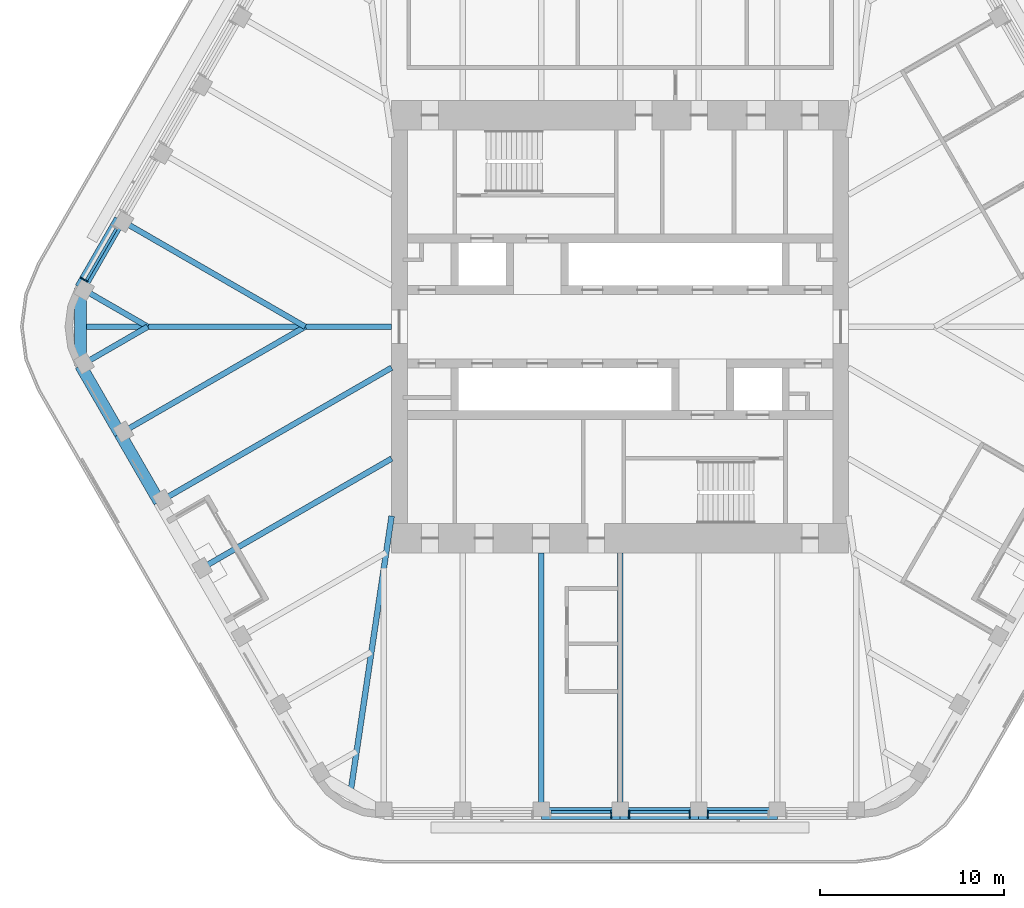
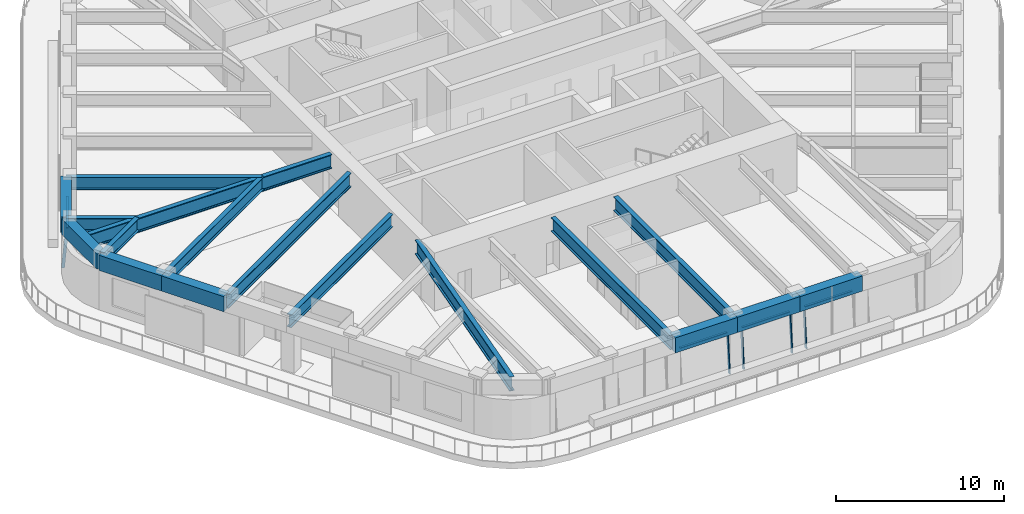
# One storey, part 3 of 19: 17 beams, 9 members, 4 elements without a shape of their own.
"""IFC4 building model written with IfcOpenShell, lengths in metres."""

from ifc_helpers import new_model, si_unit, direction, frame, origin, origin_2d, place, context, subcontext, project, spatial, rectangle, i_section, extrude, material, material_profile, profile_set, type_object, element, aggregate, save


model = new_model("IFC4")

# Units and contexts
model_context = context("Model", 3, precision=1e-05, world=origin(), true_north=direction((0.0, 1.0)))
body_context = subcontext(model_context, "Body", "Model", "MODEL_VIEW")
ifc_project = project(units=[si_unit("LENGTHUNIT", "METRE"), si_unit("AREAUNIT", "SQUARE_METRE"), si_unit("VOLUMEUNIT", "CUBIC_METRE"), si_unit("PLANEANGLEUNIT", "RADIAN"), si_unit("MASSUNIT", "GRAM", prefix="KILO")], contexts=[model_context])

# Site, building, storey
site_placement = place(None, origin())
site = spatial("IfcSite", under=ifc_project, at=site_placement, CompositionType="ELEMENT")
building_placement = place(site_placement, origin())
building = spatial("IfcBuilding", under=site, at=building_placement, Name="Tarfa Lantern Tower", CompositionType="ELEMENT")
storey_placement = place(building_placement, frame((0.0, 0.0, 370.300048828125)))
storey = spatial("IfcBuildingStorey", under=building, at=storey_placement, Name="L84", CompositionType="ELEMENT", Elevation=370.300048828125)

# Curtain wall, member
ifc_material_1 = material(Name="Aluminium framed curtain wall", Category="aluminium")
curtain_wall_type = type_object("IfcCurtainWallType", Name="CW4 CANTED GLAZING EXECUTIVE ZONE 2900", PredefinedType="USERDEFINED", material=ifc_material_1)
curtain_wall_1_placement = place(storey_placement, origin())
curtain_wall_1 = element("IfcCurtainWall", 1, at=curtain_wall_1_placement, inside=storey, type_object=curtain_wall_type, Name="CW4 NW L84", ObjectType="CURTAIN WALL", PredefinedType="USERDEFINED")
ifc_material_2 = material(Name="Aluminium mullion", Category="aluminium")
ifc_material_profile_1 = material_profile(ifc_material_2, rectangle(XDim=0.06494140625, YDim=0.199951171875, at=origin_2d()), Name="AL MULLION 65x200")
ifc_profile_set_1 = profile_set([ifc_material_profile_1], Name="Aluminium mullion")
member_type_1 = type_object("IfcMemberType", Name="CWM1 MULLION 65x200", PredefinedType="MULLION", material=ifc_profile_set_1)
member_1_placement = place(storey_placement, frame((-29.26123046875, 2.617919921875, 0.0), z_axis=(0.074316405553, -0.042945823525, 0.996309554359), x_axis=(0.500342721131, 0.865827443207, 0.0)))
member_1 = element("IfcMember", 2, at=member_1_placement, type_object=member_type_1, Name="CW4 mullion 2", PredefinedType="MULLION", context=body_context, shape_type="SweptSolid", body=[
    extrude(rectangle(XDim=0.06494140625, YDim=0.199951171875, at=origin_2d()), origin(), (0.0, 0.0, 1.0), 2.91064453125),
])

curtain_wall_2_placement = place(storey_placement, origin())
curtain_wall_2 = element("IfcCurtainWall", 3, at=curtain_wall_2_placement, inside=storey, type_object=curtain_wall_type, Name="CW4 S L84", ObjectType="CURTAIN WALL", PredefinedType="USERDEFINED")
member_2_placement = place(storey_placement, frame((-0.482421875, -26.64990234375, 0.0), z_axis=(0.0, 0.085891213166, 0.99630452147), x_axis=(-1.0, 0.0, 0.0)))
member_2 = element("IfcMember", 4, at=member_2_placement, type_object=member_type_1, Name="CW4 mullion 2", PredefinedType="MULLION", context=body_context, shape_type="SweptSolid", body=[
    extrude(rectangle(XDim=0.06494140625, YDim=0.199951171875, at=origin_2d()), origin(), (0.0, 0.0, 1.0), 2.91064453125),
])

# Curtain wall, members
curtain_wall_3_placement = place(storey_placement, origin())
curtain_wall_3 = element("IfcCurtainWall", 5, at=curtain_wall_3_placement, inside=storey, type_object=curtain_wall_type, Name="CW4 S L84", ObjectType="CURTAIN WALL", PredefinedType="USERDEFINED")
member_3_placement = place(storey_placement, frame((0.482421875, -26.64990234375, 0.0), z_axis=(0.0, 0.085891213166, 0.99630452147), x_axis=(-1.0, 0.0, 0.0)))
member_3 = element("IfcMember", 6, at=member_3_placement, type_object=member_type_1, Name="CW4 mullion 1", PredefinedType="MULLION", context=body_context, shape_type="SweptSolid", body=[
    extrude(rectangle(XDim=0.06494140625, YDim=0.199951171875, at=origin_2d()), origin(), (0.0, 0.0, 1.0), 2.91064453125),
])
member_4_placement = place(storey_placement, frame((3.799560546875, -26.64990234375, 0.0), z_axis=(0.0, 0.085891213166, 0.99630452147), x_axis=(-1.0, 0.0, 0.0)))
member_4 = element("IfcMember", 7, at=member_4_placement, type_object=member_type_1, Name="CW4 mullion 2", PredefinedType="MULLION", context=body_context, shape_type="SweptSolid", body=[
    extrude(rectangle(XDim=0.06494140625, YDim=0.199951171875, at=origin_2d()), origin(), (0.0, 0.0, 1.0), 2.91064453125),
])

# Curtain wall, member
curtain_wall_4_placement = place(storey_placement, origin())
curtain_wall_4 = element("IfcCurtainWall", 8, at=curtain_wall_4_placement, inside=storey, type_object=curtain_wall_type, Name="CW4 S L84", ObjectType="CURTAIN WALL", PredefinedType="USERDEFINED")
member_5_placement = place(storey_placement, frame((4.764404296875, -26.64990234375, 0.0), z_axis=(0.0, 0.085891213166, 0.99630452147), x_axis=(-1.0, 0.0, 0.0)))
member_5 = element("IfcMember", 9, at=member_5_placement, type_object=member_type_1, Name="CW4 mullion 1", PredefinedType="MULLION", context=body_context, shape_type="SweptSolid", body=[
    extrude(rectangle(XDim=0.06494140625, YDim=0.199951171875, at=origin_2d()), origin(), (0.0, 0.0, 1.0), 2.91064453125),
])

# Member
ifc_material_3 = material(Name="Aluminium transom", Category="aluminium")
ifc_material_profile_2 = material_profile(ifc_material_3, rectangle(XDim=0.14990234375, YDim=0.06494140625, at=origin_2d()), Name="AL TRANSOM 150x65")
ifc_profile_set_2 = profile_set([ifc_material_profile_2], Name="Aluminium transom")
member_type_2 = type_object("IfcMemberType", Name="CWT1 TRANSOM 150x65", PredefinedType="USERDEFINED", material=ifc_profile_set_2)
member_6_placement = place(storey_placement, frame((-27.405029296875, 5.338623046875, 2.867431640625), z_axis=(-0.500014901547, -0.866016800201, 0.0), x_axis=(0.866016800201, -0.500014901547, 0.0)))
member_6 = element("IfcMember", 10, at=member_6_placement, type_object=member_type_2, Name="CW4 transom 1.2", ObjectType="TRANSOM", PredefinedType="USERDEFINED", context=body_context, shape_type="SweptSolid", body=[
    extrude(rectangle(XDim=0.14990234375, YDim=0.06494140625, at=origin_2d()), origin(), (0.0, 0.0, 1.0), 3.251953125),
])

aggregate(curtain_wall_1, [member_1, member_6])

member_7_placement = place(storey_placement, frame((-3.76708984375, -26.40283203125, 2.867431640625), z_axis=(1.0, 0.0, 0.0), x_axis=(0.0, 1.0, 0.0)))
member_7 = element("IfcMember", 11, at=member_7_placement, type_object=member_type_2, Name="CW4 transom 1.2", ObjectType="TRANSOM", PredefinedType="USERDEFINED", context=body_context, shape_type="SweptSolid", body=[
    extrude(rectangle(XDim=0.14990234375, YDim=0.06494140625, at=origin_2d()), origin(), (0.0, 0.0, 1.0), 3.252197265625),
])

aggregate(curtain_wall_2, [member_2, member_7])

member_8_placement = place(storey_placement, frame((0.514892578125, -26.40283203125, 2.867431640625), z_axis=(1.0, 0.0, 0.0), x_axis=(0.0, 1.0, 0.0)))
member_8 = element("IfcMember", 12, at=member_8_placement, type_object=member_type_2, Name="CW4 transom 1.2", ObjectType="TRANSOM", PredefinedType="USERDEFINED", context=body_context, shape_type="SweptSolid", body=[
    extrude(rectangle(XDim=0.14990234375, YDim=0.06494140625, at=origin_2d()), origin(), (0.0, 0.0, 1.0), 3.252197265625),
])

aggregate(curtain_wall_3, [member_3, member_4, member_8])

member_9_placement = place(storey_placement, frame((4.797119140625, -26.40283203125, 2.867431640625), z_axis=(1.0, 0.0, 0.0), x_axis=(0.0, 1.0, 0.0)))
member_9 = element("IfcMember", 13, at=member_9_placement, type_object=member_type_2, Name="CW4 transom 1.2", ObjectType="TRANSOM", PredefinedType="USERDEFINED", context=body_context, shape_type="SweptSolid", body=[
    extrude(rectangle(XDim=0.14990234375, YDim=0.06494140625, at=origin_2d()), origin(), (0.0, 0.0, 1.0), 3.251953125),
])

aggregate(curtain_wall_4, [member_5, member_9])

# Beams
ifc_material_4 = material(Name="Concrete C80/95", Category="concrete")
ifc_material_profile_3 = material_profile(ifc_material_4, rectangle(XDim=0.64990234375, YDim=1.10009765625, at=origin_2d()), Name="RC 650x1100")
ifc_profile_set_3 = profile_set([ifc_material_profile_3], Name="Concrete C80/95")
beam_type_1 = type_object("IfcBeamType", Name="EB4 RC 650x1100", PredefinedType="SPANDREL", material=ifc_profile_set_3)
beam_1_placement = place(storey_placement, frame((-27.205810546875, 5.818359375, 3.449951171875), z_axis=(-0.499984039138, -0.866034618596, 0.0), x_axis=(0.866034618596, -0.499984039138, 0.0)))
element("IfcBeam", 14, at=beam_1_placement, inside=storey, type_object=beam_type_1, Name="Edge beam NW5", PredefinedType="SPANDREL", context=body_context, shape_type="SweptSolid", body=[
    extrude(rectangle(XDim=0.64990234375, YDim=1.10009765625, at=origin_2d()), origin(), (0.0, 0.0, 1.0), 4.281982421875),
])
beam_2_placement = place(storey_placement, frame((-29.3466796875, 2.110107421875, 3.449951171875), z_axis=(0.0, -1.0, 0.0), x_axis=(1.0, 0.0, 0.0)))
element("IfcBeam", 15, at=beam_2_placement, inside=storey, type_object=beam_type_1, Name="Edge beam NW6", PredefinedType="SPANDREL", context=body_context, shape_type="SweptSolid", body=[
    extrude(rectangle(XDim=0.64990234375, YDim=1.10009765625, at=origin_2d()), origin(), (0.0, 0.0, 1.0), 4.22021484375),
])
for number, where, z_axis, x_axis, name in (
    (16, (-29.3466796875, -2.110107421875, 3.449951171875), (0.499984039138, -0.866034618596, 0.0), (0.866034618596, 0.499984039138, 0.0), "Edge beam SW0"),
    (17, (-27.205810546875, -5.818359375, 3.449951171875), (0.500026801138, -0.866009929587, 0.0), (0.866009929587, 0.500026801138, 0.0), "Edge beam SW1"),
    (18, (-4.281982421875, -26.469970703125, 3.449951171875), (1.0, 0.0, 0.0), (0.0, 1.0, 0.0), "Edge beam S2"),
    (19, (0.0, -26.469970703125, 3.449951171875), (1.0, 0.0, 0.0), (0.0, 1.0, 0.0), "Edge beam S3"),
    (20, (4.281982421875, -26.469970703125, 3.449951171875), (1.0, 0.0, 0.0), (0.0, 1.0, 0.0), "Edge beam S4"),
):
    element("IfcBeam", number, at=place(storey_placement, frame(where, z_axis=z_axis, x_axis=x_axis)), inside=storey, type_object=beam_type_1, Name=name, PredefinedType="SPANDREL", context=body_context, shape_type="SweptSolid", body=[
        extrude(rectangle(XDim=0.64990234375, YDim=1.10009765625, at=origin_2d()), origin(), (0.0, 0.0, 1.0), 4.281982421875),
    ])
ifc_material_5 = material(Name="Steel S460M", Category="steel")
ifc_material_profile_4 = material_profile(ifc_material_5, i_section(OverallWidth=0.302001953125, OverallDepth=1.008056640625, WebThickness=0.02099609375, FlangeThickness=0.0400390625, FilletRadius=0.030029296875, at=origin_2d()), Name="UB1016x305x349")
ifc_profile_set_4 = profile_set([ifc_material_profile_4], Name="Steel S460M")
beam_type_2 = type_object("IfcBeamType", Name="UB1016x305x349", PredefinedType="BEAM", material=ifc_profile_set_4)
beam_3_placement = place(storey_placement, frame((-25.064697265625, -9.526611328125, 3.495849609375), z_axis=(0.866029591389, 0.499992746786, 0.0), x_axis=(-0.499992746786, 0.866029591389, 0.0)))
element("IfcBeam", 21, at=beam_3_placement, inside=storey, type_object=beam_type_2, Name="Floor beam SW2", PredefinedType="BEAM", context=body_context, shape_type="SweptSolid", body=[
    extrude(i_section(OverallWidth=0.302001953125, OverallDepth=1.008056640625, WebThickness=0.02099609375, FlangeThickness=0.0400390625, FilletRadius=0.030029296875, at=origin_2d()), origin(), (0.0, 0.0, 1.0), 14.594970703125),
])
for number, where, z_axis, x_axis, name in (
    (22, (-4.281982421875, -26.469970703125, 3.495849609375), (0.0, 1.0, 0.0), (-1.0, 0.0, 0.0), "Floor beam S2"),
    (23, (0.0, -26.469970703125, 3.495849609375), (0.0, 1.0, 0.0), (-1.0, 0.0, 0.0), "Floor beam S3"),
):
    element("IfcBeam", number, at=place(storey_placement, frame(where, z_axis=z_axis, x_axis=x_axis)), inside=storey, type_object=beam_type_2, Name=name, PredefinedType="BEAM", context=body_context, shape_type="SweptSolid", body=[
        extrude(i_section(OverallWidth=0.302001953125, OverallDepth=1.008056640625, WebThickness=0.02099609375, FlangeThickness=0.0400390625, FilletRadius=0.030029296875, at=origin_2d()), origin(), (0.0, 0.0, 1.0), 14.169921875),
    ])
ifc_material_profile_5 = material_profile(ifc_material_5, i_section(OverallWidth=0.30859375, OverallDepth=1.036376953125, WebThickness=0.030029296875, FlangeThickness=0.05419921875, FilletRadius=0.030029296875, at=origin_2d()), Name="UB1016x305x487")
ifc_profile_set_5 = profile_set([ifc_material_profile_5], Name="Steel S460M")
beam_type_3 = type_object("IfcBeamType", Name="UB1016x305x487", PredefinedType="BEAM", material=ifc_profile_set_5)
beam_4_placement = place(storey_placement, frame((-12.425048828125, 0.0, 3.481689453125), z_axis=(-1.0, 0.0, 0.0), x_axis=(0.0, -1.0, 0.0)))
element("IfcBeam", 24, at=beam_4_placement, inside=storey, type_object=beam_type_3, Name="Hip girder W", PredefinedType="BEAM", context=body_context, shape_type="SweptSolid", body=[
    extrude(i_section(OverallWidth=0.30859375, OverallDepth=1.036376953125, WebThickness=0.030029296875, FlangeThickness=0.05419921875, FilletRadius=0.030029296875, at=origin_2d()), origin(), (0.0, 0.0, 1.0), 16.921630859375),
])
beam_5_placement = place(storey_placement, frame((-12.425048828125, -10.300048828125, 3.481689453125), z_axis=(-0.147127069073, -0.989117599452, 0.0), x_axis=(0.989117599452, -0.147127069073, 0.0)))
element("IfcBeam", 25, at=beam_5_placement, inside=storey, type_object=beam_type_3, Name="Hip girder SW", PredefinedType="BEAM", context=body_context, shape_type="SweptSolid", body=[
    extrude(i_section(OverallWidth=0.30859375, OverallDepth=1.036376953125, WebThickness=0.030029296875, FlangeThickness=0.05419921875, FilletRadius=0.030029296875, at=origin_2d()), origin(), (0.0, 0.0, 1.0), 15.28125),
])
ifc_material_profile_6 = material_profile(ifc_material_5, i_section(OverallWidth=0.305419921875, OverallDepth=0.91845703125, WebThickness=0.017333984375, FlangeThickness=0.02783203125, FilletRadius=0.01904296875, at=origin_2d()), Name="UB914x305x253")
ifc_profile_set_6 = profile_set([ifc_material_profile_6], Name="Steel S460M")
beam_type_4 = type_object("IfcBeamType", Name="UB914x305x253", PredefinedType="BEAM", material=ifc_profile_set_6)
beam_6_placement = place(storey_placement, frame((-27.205810546875, 5.818359375, 3.540771484375), z_axis=(0.866024171998, -0.500002133511, 0.0), x_axis=(0.500002133511, 0.866024171998, 0.0)))
element("IfcBeam", 26, at=beam_6_placement, inside=storey, type_object=beam_type_4, Name="Floor beam NW5", PredefinedType="BEAM", context=body_context, shape_type="SweptSolid", body=[
    extrude(i_section(OverallWidth=0.305419921875, OverallDepth=0.91845703125, WebThickness=0.017333984375, FlangeThickness=0.02783203125, FilletRadius=0.01904296875, at=origin_2d()), origin(), (0.0, 0.0, 1.0), 11.63671875),
])
for number, where, z_axis, x_axis, name in (
    (27, (-29.3466796875, 2.110107421875, 3.540771484375), (0.866009274789, -0.500027935199, 0.0), (0.500027935199, 0.866009274789, 0.0), "Floor beam NW6"),
    (28, (-29.3466796875, -2.110107421875, 3.540771484375), (0.866009274789, 0.500027935199, 0.0), (-0.500027935199, 0.866009274789, 0.0), "Floor beam SW0"),
):
    element("IfcBeam", number, at=place(storey_placement, frame(where, z_axis=z_axis, x_axis=x_axis)), inside=storey, type_object=beam_type_4, Name=name, PredefinedType="BEAM", context=body_context, shape_type="SweptSolid", body=[
        extrude(i_section(OverallWidth=0.305419921875, OverallDepth=0.91845703125, WebThickness=0.017333984375, FlangeThickness=0.02783203125, FilletRadius=0.01904296875, at=origin_2d()), origin(), (0.0, 0.0, 1.0), 4.219970703125),
    ])
beam_7_placement = place(storey_placement, frame((-27.205810546875, -5.818359375, 3.540771484375), z_axis=(0.866024171998, 0.500002133511, 0.0), x_axis=(-0.500002133511, 0.866024171998, 0.0)))
element("IfcBeam", 29, at=beam_7_placement, inside=storey, type_object=beam_type_4, Name="Floor beam SW1", PredefinedType="BEAM", context=body_context, shape_type="SweptSolid", body=[
    extrude(i_section(OverallWidth=0.305419921875, OverallDepth=0.91845703125, WebThickness=0.017333984375, FlangeThickness=0.02783203125, FilletRadius=0.01904296875, at=origin_2d()), origin(), (0.0, 0.0, 1.0), 11.63671875),
])
beam_8_placement = place(storey_placement, frame((-22.923583984375, -13.235107421875, 3.540771484375), z_axis=(0.86601856927, 0.500011837539, 0.0), x_axis=(-0.500011837539, 0.86601856927, 0.0)))
element("IfcBeam", 30, at=beam_8_placement, inside=storey, type_object=beam_type_4, Name="Floor beam SW3", PredefinedType="BEAM", context=body_context, shape_type="SweptSolid", body=[
    extrude(i_section(OverallWidth=0.305419921875, OverallDepth=0.91845703125, WebThickness=0.017333984375, FlangeThickness=0.02783203125, FilletRadius=0.01904296875, at=origin_2d()), origin(), (0.0, 0.0, 1.0), 12.122802734375),
])

save(model, "model.ifc")
